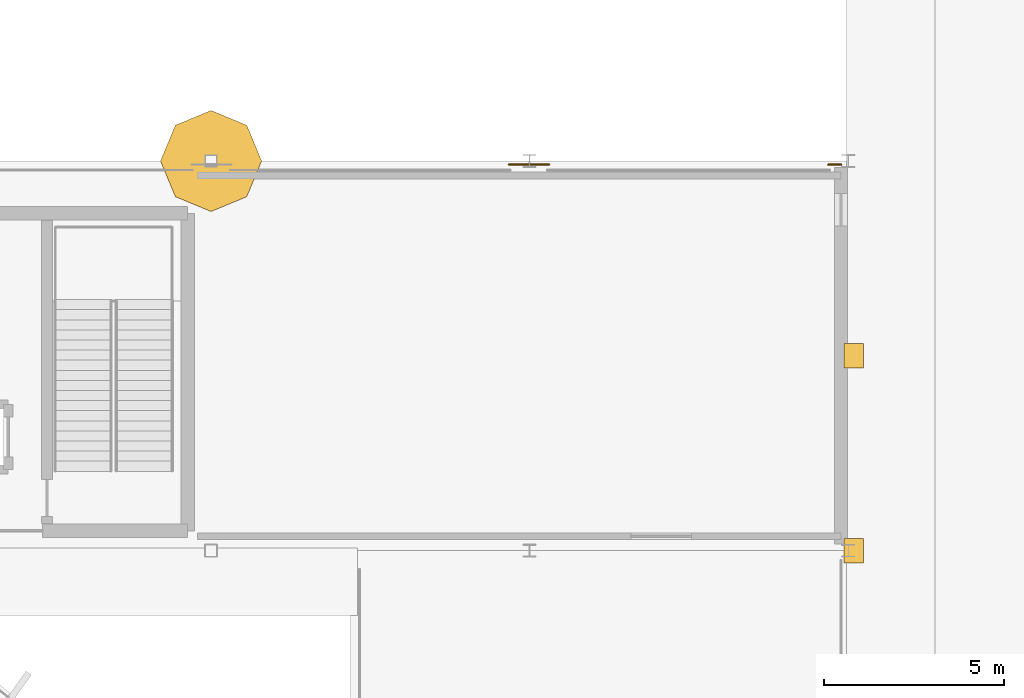
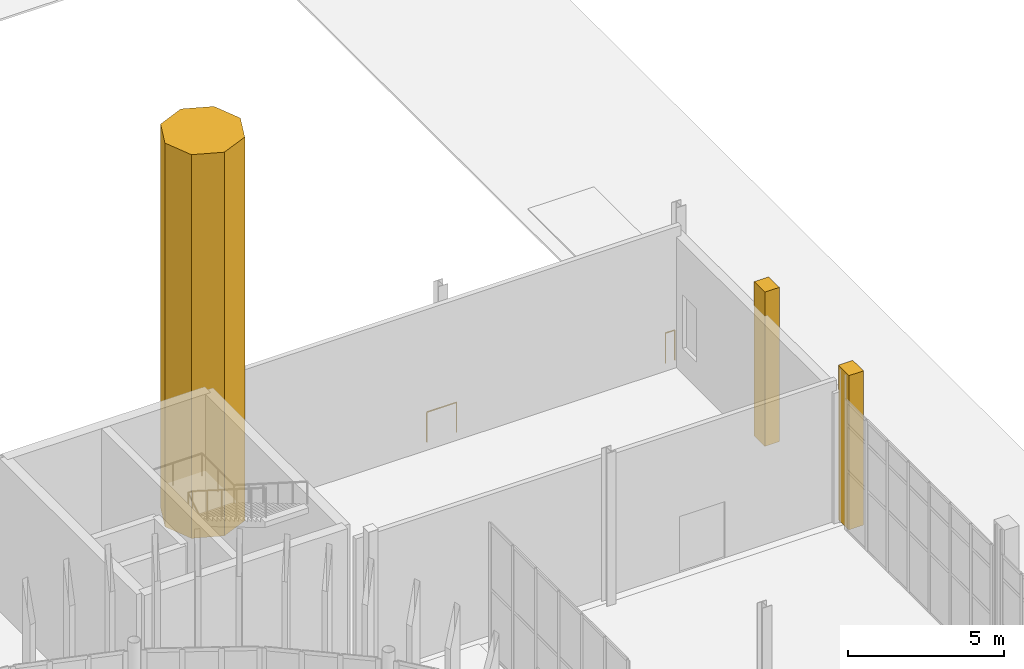
# One storey, part 135 of 139: 3 coverings, 2 railings.
"""IFC4 building model written with IfcOpenShell, lengths in metres."""

import ifcopenshell
import ifcopenshell.guid

model = None  # the IFC model being written
_history = None  # IfcOwnerHistory: only IFC2X3 demands one
_inside = {}  # id of a spatial element -> (the spatial element, [elements in it])
_under = {}  # id of a project, library or spatial element -> (it, [spatial elements below it])
_declared = {}  # id of a project -> (the project, [libraries it declares])
_typed = {}  # id of a type object -> (the type object, [elements of that type])
_made_of = {}  # id of a material, layer set ... -> (it, [elements and type objects made of it])


def new_model(schema):
    """Start an empty IFC model of exactly this schema.

    Asked for "IFC4X3", IfcOpenShell would pick the latest addendum, in which some entities
    have other attributes; the version numbers below select the first issue.
    IFC2X3 requires an IfcOwnerHistory on every rooted entity: one is made here for all.
    """
    global model, _history
    if schema == "IFC4X3":
        model = ifcopenshell.file(schema_version=(4, 3, 0, 0))
    else:
        model = ifcopenshell.file(schema=schema)
    _inside.clear()
    _under.clear()
    _declared.clear()
    _typed.clear()
    _made_of.clear()
    _history = None
    if model.schema == "IFC2X3":
        org = make("IfcOrganization", Name="unknown")
        user = make(
            "IfcPersonAndOrganization",
            ThePerson=make("IfcPerson", FamilyName="unknown"),
            TheOrganization=org,
        )
        app = make(
            "IfcApplication",
            ApplicationDeveloper=org,
            Version="unknown",
            ApplicationFullName="unknown",
            ApplicationIdentifier="unknown",
        )
        _history = make(
            "IfcOwnerHistory",
            OwningUser=user,
            OwningApplication=app,
            ChangeAction="ADDED",
            CreationDate=0,
        )
    return model


def make(cls, **values):
    """One entity of the class cls with the attributes given. An attribute that is None is left unset."""
    return model.create_entity(
        cls, **{name: value for name, value in values.items() if value is not None}
    )


def rooted(cls, **values):
    """An entity with a GlobalId (a new one), such as an element, a storey or a relation."""
    return make(cls, GlobalId=ifcopenshell.guid.new(), OwnerHistory=_history, **values)


def si_unit(unit_type, name, prefix=None):
    """IfcSIUnit, for example si_unit("LENGTHUNIT", "METRE", prefix="MILLI")."""
    return make("IfcSIUnit", UnitType=unit_type, Prefix=prefix, Name=name)


def assignment(units):
    """IfcUnitAssignment: the units of a project."""
    return None if units is None else make("IfcUnitAssignment", Units=units)


def point(xyz):
    """IfcCartesianPoint."""
    return None if xyz is None else make("IfcCartesianPoint", Coordinates=xyz)


def direction(xyz):
    """IfcDirection."""
    return None if xyz is None else make("IfcDirection", DirectionRatios=xyz)


def frame(location, z_axis=None, x_axis=None):
    """IfcAxis2Placement3D, a coordinate frame: its origin and axes. An axis left out is left unset."""
    return make(
        "IfcAxis2Placement3D",
        Location=point(location),
        Axis=direction(z_axis),
        RefDirection=direction(x_axis),
    )


def frame_2d(location, x_axis=None):
    """IfcAxis2Placement2D, a coordinate frame in the plane: its origin and x axis."""
    return make(
        "IfcAxis2Placement2D", Location=point(location), RefDirection=direction(x_axis)
    )


def origin():
    """The frame at (0, 0, 0) with its axes left unset."""
    return frame((0.0, 0.0, 0.0))


def origin_2d():
    """The frame at (0, 0) in the plane with its x axis left unset."""
    return frame_2d((0.0, 0.0))


def place(relative_to, where):
    """IfcLocalPlacement: puts the frame where relative to a parent placement (None: the world)."""
    return make(
        "IfcLocalPlacement", PlacementRelTo=relative_to, RelativePlacement=where
    )


def context(
    kind, dimensions, precision=None, world=None, true_north=None, identifier=None
):
    """IfcGeometricRepresentationContext, for example the 3D "Model" context."""
    return make(
        "IfcGeometricRepresentationContext",
        ContextIdentifier=identifier,
        ContextType=kind,
        CoordinateSpaceDimension=dimensions,
        Precision=precision,
        WorldCoordinateSystem=world,
        TrueNorth=true_north,
    )


def subcontext(parent, identifier, kind, view, scale=None):
    """IfcGeometricRepresentationSubContext, for example "Body" below "Model"."""
    return make(
        "IfcGeometricRepresentationSubContext",
        ContextIdentifier=identifier,
        ContextType=kind,
        ParentContext=parent,
        TargetScale=scale,
        TargetView=view,
    )


def project(units=None, contexts=None):
    """IfcProject with its units and contexts."""
    return rooted(
        "IfcProject",
        Name="project",
        RepresentationContexts=contexts,
        UnitsInContext=assignment(units),
    )


def spatial(cls, under=None, at=None, **own):
    """A site, building, storey or space (cls), placed at a placement, below another one or the project."""
    s = rooted(cls, ObjectPlacement=at, **own)
    if under is not None:
        _under.setdefault(under.id(), (under, []))[1].append(s)
    return s


def polyline(points):
    """IfcPolyline through the points."""
    return make("IfcPolyline", Points=[point(p) for p in points])


def profile(cls, at=None, kind="AREA", **sizes):
    """A parametric profile (cls). Its sizes go by their IFC names, for example OverallWidth=200.0."""
    return make(cls, ProfileType=kind, Position=at, **sizes)


def circle(**sizes):
    """IfcCircleProfileDef."""
    return profile("IfcCircleProfileDef", **sizes)


def outline(outer, holes=None, kind="AREA"):
    """IfcArbitraryClosedProfileDef: a profile drawn as a closed curve; with holes, ...WithVoids."""
    if holes is None:
        return make("IfcArbitraryClosedProfileDef", ProfileType=kind, OuterCurve=outer)
    return make(
        "IfcArbitraryProfileDefWithVoids",
        ProfileType=kind,
        OuterCurve=outer,
        InnerCurves=holes,
    )


def extrude(swept, where, along, depth):
    """IfcExtrudedAreaSolid: the profile swept, set in the frame where, extruded along a direction by depth."""
    return make(
        "IfcExtrudedAreaSolid",
        SweptArea=swept,
        Position=where,
        ExtrudedDirection=direction(along),
        Depth=depth,
    )


def shape(context_of_items, identifier, shape_type, items):
    """IfcShapeRepresentation: the items that make up one representation, for example the "Body"."""
    return make(
        "IfcShapeRepresentation",
        ContextOfItems=context_of_items,
        RepresentationIdentifier=identifier,
        RepresentationType=shape_type,
        Items=items,
    )


def material(Name=None, Category=None):
    """IfcMaterial."""
    return make("IfcMaterial", Name=Name, Category=Category)


def layer(
    of_material, thickness, ventilated=None, Name=None, Category=None, Priority=None
):
    """IfcMaterialLayer: one layer of a wall or slab, of a material (None: an air gap)."""
    return make(
        "IfcMaterialLayer",
        Material=of_material,
        LayerThickness=thickness,
        IsVentilated=ventilated,
        Name=Name,
        Category=Category,
        Priority=Priority,
    )


def layer_set(layers, Name=None):
    """IfcMaterialLayerSet."""
    return make("IfcMaterialLayerSet", MaterialLayers=layers, LayerSetName=Name)


def made_of(thing, what):
    """Note that an element or type object is made of a material, layer set ...; save() writes the relation."""
    if what is not None:
        _made_of.setdefault(what.id(), (what, []))[1].append(thing)
    return thing


def type_object(cls, material=None, **own):
    """A type object (cls), such as IfcWallType, which elements share."""
    return made_of(rooted(cls, **own), material)


def element(
    cls,
    number,
    at=None,
    inside=None,
    cuts=None,
    type_object=None,
    material=None,
    context=None,
    identifier="Body",
    shape_type=None,
    held_by="IfcProductDefinitionShape",
    body=None,
    shapes=None,
    **own,
):
    """One element of the class cls, such as IfcWall. Its Tag is "e" and its number.

    at: its placement. inside: the storey or other place that contains it. cuts: it is an
    opening in that element (IfcRelVoidsElement). A single representation is given by context,
    identifier, shape_type and body (its items); several are given by shapes. held_by: the class
    of the entity that holds the representations. save() writes the other relations.
    """
    e = rooted(cls, Tag="e%d" % number, ObjectPlacement=at, **own)
    if body is not None:
        shapes = [shape(context, identifier, shape_type, body)]
    if shapes is not None:
        e.Representation = make(held_by, Representations=shapes)
    if inside is not None:
        _inside.setdefault(inside.id(), (inside, []))[1].append(e)
    if cuts is not None:
        rooted(
            "IfcRelVoidsElement", RelatingBuildingElement=cuts, RelatedOpeningElement=e
        )
    if type_object is not None:
        _typed.setdefault(type_object.id(), (type_object, []))[1].append(e)
    return made_of(e, material)


def aggregate(whole, parts):
    """IfcRelAggregates: a whole, such as a stair, and the parts it consists of."""
    return rooted("IfcRelAggregates", RelatingObject=whole, RelatedObjects=parts)


def save(model, path):
    """Write the relations noted so far, then the file.

    IfcRelAggregates (storeys below a building ...), IfcRelContainedInSpatialStructure (elements
    in a storey), IfcRelDefinesByType, IfcRelAssociatesMaterial and IfcRelDeclares: one each for
    every whole, place, type object, material and project.
    """
    for whole, parts in _under.values():
        aggregate(whole, parts)
    for where, things in _inside.values():
        rooted(
            "IfcRelContainedInSpatialStructure",
            RelatedElements=things,
            RelatingStructure=where,
        )
    for kind, things in _typed.values():
        rooted("IfcRelDefinesByType", RelatedObjects=things, RelatingType=kind)
    for what, things in _made_of.values():
        rooted("IfcRelAssociatesMaterial", RelatedObjects=things, RelatingMaterial=what)
    for by, libraries in _declared.values():
        rooted("IfcRelDeclares", RelatingContext=by, RelatedDefinitions=libraries)
    model.write(path)


model = new_model("IFC4")

# Units and contexts
model_context = context("Model", 3, precision=1e-05, world=origin(), true_north=direction((0.0, 1.0)))
body_context = subcontext(model_context, "Body", "Model", "MODEL_VIEW")
ifc_project = project(units=[si_unit("LENGTHUNIT", "METRE"), si_unit("AREAUNIT", "SQUARE_METRE"), si_unit("VOLUMEUNIT", "CUBIC_METRE"), si_unit("PLANEANGLEUNIT", "RADIAN"), si_unit("MASSUNIT", "GRAM", prefix="KILO")], contexts=[model_context])

# Site, building, storey
site_placement = place(None, origin())
site = spatial("IfcSite", under=ifc_project, at=site_placement, CompositionType="ELEMENT")
building_placement = place(site_placement, origin())
building = spatial("IfcBuilding", under=site, at=building_placement, Name="Yeouljin Market Hall", CompositionType="ELEMENT")
storey_placement = place(building_placement, origin())
storey = spatial("IfcBuildingStorey", under=building, at=storey_placement, Name="L00", CompositionType="ELEMENT", Elevation=0.0)

# Coverings
ifc_material_1 = material(Name="Clinker Brick Masonry F2-S2", Category="masonry")
ifc_layer = layer(ifc_material_1, 0.5400390625)
ifc_layer_set = layer_set([ifc_layer], Name="Clinker Brick Masonry F2-S2")
covering_type = type_object("IfcCoveringType", Name="Covering_Clinker_PleatedPier", PredefinedType="CLADDING", material=ifc_layer_set)
covering_1_placement = place(storey_placement, origin())
element("IfcCovering", 1, at=covering_1_placement, inside=storey, type_object=covering_type, Name="Amsterdam School sculpted brick corner turret C4-PROW", PredefinedType="CLADDING", context=body_context, shape_type="SweptSolid", body=[
    extrude(outline(polyline([(160.139892578125, 88.800048828125), (159.72998046875, 89.789794921875), (158.739990234375, 90.199951171875), (157.75, 89.789794921875), (157.340087890625, 88.800048828125), (157.75, 87.81005859375), (158.739990234375, 87.39990234375), (159.72998046875, 87.81005859375), (160.139892578125, 88.800048828125)])), origin(), (0.0, 0.0, 1.0), 15.050048828125),
])
covering_2_placement = place(storey_placement, origin())
element("IfcCovering", 2, at=covering_2_placement, inside=storey, type_object=covering_type, Name="Pleated clinker-brick east facade pier E-032", PredefinedType="CLADDING", context=body_context, shape_type="SweptSolid", body=[
    extrude(outline(polyline([(176.280029296875, 77.659912109375), (176.820068359375, 77.659912109375), (176.820068359375, 78.340087890625), (176.280029296875, 78.340087890625), (176.280029296875, 77.659912109375)])), origin(), (0.0, 0.0, 1.0), 6.050048828125),
])
covering_3_placement = place(storey_placement, origin())
element("IfcCovering", 3, at=covering_3_placement, inside=storey, type_object=covering_type, Name="Pleated clinker-brick east facade pier E-033", PredefinedType="CLADDING", context=body_context, shape_type="SweptSolid", body=[
    extrude(outline(polyline([(176.280029296875, 83.06005859375), (176.820068359375, 83.06005859375), (176.820068359375, 83.739990234375), (176.280029296875, 83.739990234375), (176.280029296875, 83.06005859375)])), origin(), (0.0, 0.0, 1.0), 6.050048828125),
])

# Railings
ifc_material_2 = material(Name="Wrought Iron and Bronze Gallery Balustrade")
railing_type = type_object("IfcRailingType", Name="Railing_AtriumBalustrade_1200", PredefinedType="BALUSTRADE", material=ifc_material_2)
railing_1_placement = place(storey_placement, frame((167.0, 88.699951171875, 0.0)))
element("IfcRailing", 4, at=railing_1_placement, inside=storey, type_object=railing_type, Name="Gallery & deck edge balustrade L00-007", PredefinedType="BALUSTRADE", context=body_context, shape_type="SweptSolid", body=[
    extrude(circle(Radius=0.02392578125, at=origin_2d()), frame((0.0, 0.0, 1.17578125), z_axis=(1.0, 0.0, 0.0), x_axis=(0.0, 1.0, 0.0)), (0.0, 0.0, 1.0), 1.10009765625),
    extrude(circle(Radius=0.02099609375, at=origin_2d()), origin(), (0.0, 0.0, 1.0), 1.15185546875),
    extrude(circle(Radius=0.02099609375, at=origin_2d()), frame((1.10009765625, 0.0, 0.0)), (0.0, 0.0, 1.0), 1.15185546875),
])
railing_2_placement = place(storey_placement, frame((175.85009765625, 88.699951171875, 0.0)))
element("IfcRailing", 5, at=railing_2_placement, inside=storey, type_object=railing_type, Name="Gallery & deck edge balustrade L00-008", PredefinedType="BALUSTRADE", context=body_context, shape_type="SweptSolid", body=[
    extrude(circle(Radius=0.02392578125, at=origin_2d()), frame((0.0, 0.0, 1.17578125), z_axis=(1.0, 0.0, 0.0), x_axis=(0.0, 1.0, 0.0)), (0.0, 0.0, 1.0), 0.349853515625),
    extrude(circle(Radius=0.02099609375, at=origin_2d()), origin(), (0.0, 0.0, 1.0), 1.15185546875),
    extrude(circle(Radius=0.02099609375, at=origin_2d()), frame((0.349853515625, 0.0, 0.0)), (0.0, 0.0, 1.0), 1.15185546875),
])

save(model, "model.ifc")
